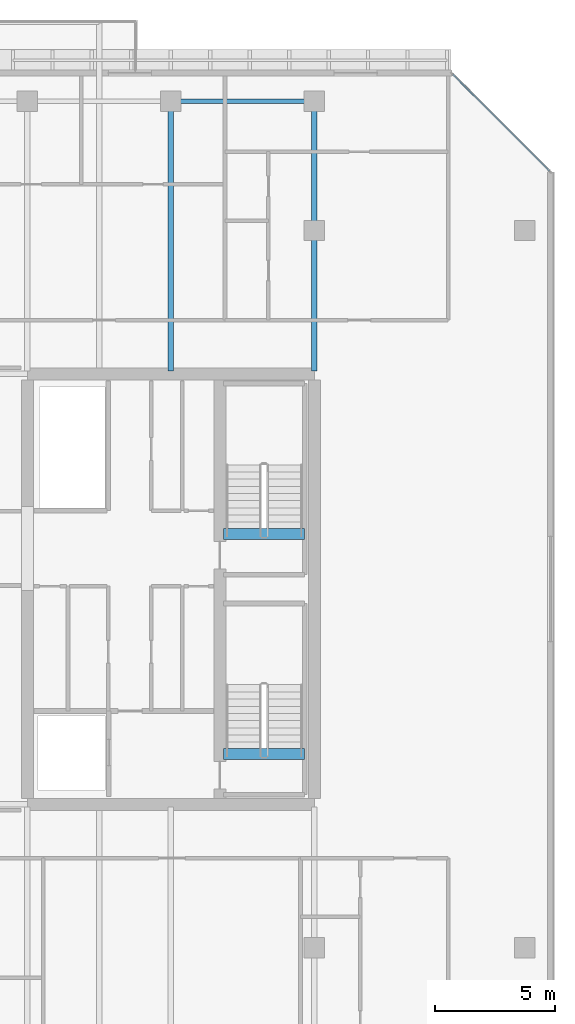
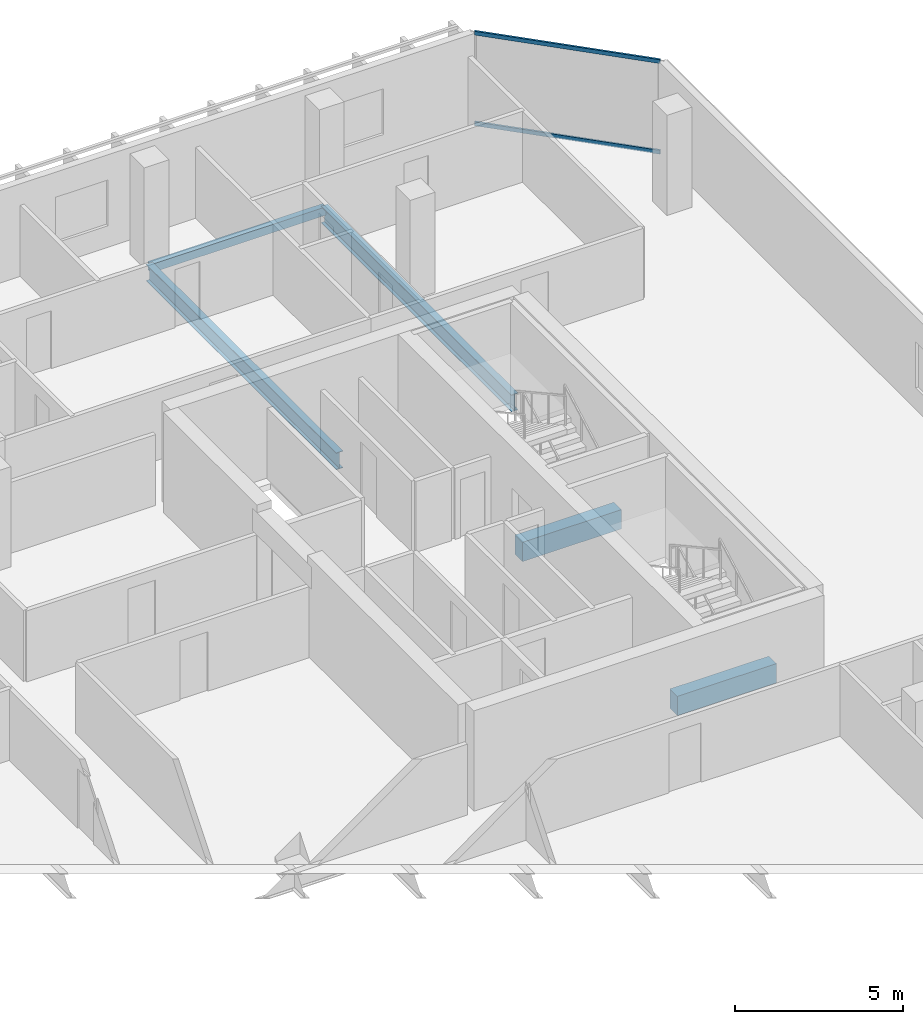
# One storey, part 16 of 31: 5 beams, 2 members, 1 element without a shape of its own.
"""IFC4 building model written with IfcOpenShell, lengths in metres."""

from ifc_helpers import new_model, si_unit, direction, frame, origin, origin_2d, place, context, subcontext, project, spatial, rectangle, hollow_rectangle, i_section, extrude, material, layer, layer_set, material_profile, profile_set, type_object, element, aggregate, save


model = new_model("IFC4")

# Units and contexts
model_context = context("Model", 3, precision=1e-05, world=origin(), true_north=direction((0.0, 1.0)))
body_context = subcontext(model_context, "Body", "Model", "MODEL_VIEW")
ifc_project = project(units=[si_unit("LENGTHUNIT", "METRE"), si_unit("AREAUNIT", "SQUARE_METRE"), si_unit("VOLUMEUNIT", "CUBIC_METRE"), si_unit("PLANEANGLEUNIT", "RADIAN"), si_unit("MASSUNIT", "GRAM", prefix="KILO")], contexts=[model_context])

# Site, building, storey
site_placement = place(None, origin())
site = spatial("IfcSite", under=ifc_project, at=site_placement, CompositionType="ELEMENT")
building_placement = place(site_placement, origin())
building = spatial("IfcBuilding", under=site, at=building_placement, Name="Tanjung Sevakor Pilgrim Tower", CompositionType="ELEMENT")
storey_placement = place(building_placement, frame((0.0, 0.0, 169.2900390625)))
storey = spatial("IfcBuildingStorey", under=building, at=storey_placement, Name="L47", CompositionType="ELEMENT", Elevation=169.2900390625)

# Beams
ifc_material_1 = material(Name="Steel S355J2", Category="steel")
ifc_material_profile_1 = material_profile(ifc_material_1, i_section(OverallWidth=0.22900390625, OverallDepth=0.6123046875, WebThickness=0.011962890625, FlangeThickness=0.01953125, FilletRadius=0.0126953125, at=origin_2d()))
ifc_profile_set_1 = profile_set([ifc_material_profile_1], Name="Steel S355J2")
beam_type_1 = type_object("IfcBeamType", Name="BM-B-G4-UB_610x229x125", PredefinedType="BEAM", material=ifc_profile_set_1)
for number, where, z_axis, x_axis, name in (
    (1, (84.0, 42.715087890625, -0.526123046875), (0.0, 1.0, 0.0), (-1.0, 0.0, 0.0), "L47 MAIN Girder 024"),
    (2, (90.0, 42.715087890625, -0.526123046875), (0.0, 1.0, 0.0), (-1.0, 0.0, 0.0), "L47 MAIN Girder 026"),
):
    element("IfcBeam", number, at=place(storey_placement, frame(where, z_axis=z_axis, x_axis=x_axis)), inside=storey, type_object=beam_type_1, Name=name, PredefinedType="BEAM", context=body_context, shape_type="SweptSolid", body=[
        extrude(i_section(OverallWidth=0.22900390625, OverallDepth=0.6123046875, WebThickness=0.011962890625, FlangeThickness=0.01953125, FilletRadius=0.0126953125, at=origin_2d()), origin(), (0.0, 0.0, 1.0), 11.284912109375),
    ])
ifc_material_2 = material(Name="Concrete C60/75", Category="concrete")
ifc_material_profile_2 = material_profile(ifc_material_2, rectangle(XDim=0.449951171875, YDim=0.699951171875, at=origin_2d()))
ifc_profile_set_2 = profile_set([ifc_material_profile_2], Name="Concrete C60/75")
beam_type_2 = type_object("IfcBeamType", Name="BM-B-LN3-RC-BM_450x700", PredefinedType="LINTEL", material=ifc_profile_set_2)
for number, where, z_axis, x_axis, name in (
    (3, (86.199951171875, 26.699951171875, -0.35009765625), (1.0, 0.0, 0.0), (0.0, 1.0, 0.0), "L47 TS-E1 Stair Threshold Beam"),
    (4, (86.199951171875, 35.89990234375, -0.35009765625), (1.0, 0.0, 0.0), (0.0, 1.0, 0.0), "L47 TS-E2 Stair Threshold Beam"),
):
    element("IfcBeam", number, at=place(storey_placement, frame(where, z_axis=z_axis, x_axis=x_axis)), inside=storey, type_object=beam_type_2, Name=name, PredefinedType="LINTEL", context=body_context, shape_type="SweptSolid", body=[
        extrude(rectangle(XDim=0.449951171875, YDim=0.699951171875, at=origin_2d()), origin(), (0.0, 0.0, 1.0), 3.400146484375),
    ])
ifc_material_3 = material(Name="Steel S355J2", Category="steel")
ifc_material_profile_3 = material_profile(ifc_material_3, hollow_rectangle(XDim=0.199951171875, YDim=0.300048828125, WallThickness=0.012451171875, at=origin_2d()))
ifc_profile_set_3 = profile_set([ifc_material_profile_3], Name="Steel S355J2")
beam_type_3 = type_object("IfcBeamType", Name="BM-B-SP3-RHS_300x200x12.5", PredefinedType="SPANDREL", material=ifc_profile_set_3)
beam_placement = place(storey_placement, frame((84.0, 54.0, -0.3701171875), z_axis=(1.0, 0.0, 0.0), x_axis=(0.0, 1.0, 0.0)))
element("IfcBeam", 5, at=beam_placement, inside=storey, type_object=beam_type_3, Name="L47 Spandrel MAIN N-18", PredefinedType="SPANDREL", context=body_context, shape_type="SweptSolid", body=[
    extrude(hollow_rectangle(XDim=0.199951171875, YDim=0.300048828125, WallThickness=0.012451171875, at=origin_2d()), origin(), (0.0, 0.0, 1.0), 6.0),
])

# Curtain wall, members
ifc_material_4 = material(Name="Aluminium 6063-T6 and Low-E Glass", Category="aluminium")
ifc_layer = layer(ifc_material_4, 0.179931640625)
ifc_layer_set = layer_set([ifc_layer], Name="CW-SYS-CHAM")
curtain_wall_type = type_object("IfcCurtainWallType", Name="CW-SYS-CHAM", PredefinedType="NOTDEFINED", material=ifc_layer_set)
curtain_wall_placement = place(storey_placement, origin())
curtain_wall = element("IfcCurtainWall", 6, at=curtain_wall_placement, inside=storey, type_object=curtain_wall_type, Name="L47 Curtain Wall CW-CHM-L47-MAIN-7", PredefinedType="NOTDEFINED")
ifc_material_5 = material(Name="Aluminium 6063-T6", Category="aluminium")
ifc_material_profile_4 = material_profile(ifc_material_5, hollow_rectangle(XDim=0.06494140625, YDim=0.139892578125, WallThickness=0.00390625, at=origin_2d()))
ifc_profile_set_4 = profile_set([ifc_material_profile_4], Name="Aluminium 6063-T6")
member_type = type_object("IfcMemberType", Name="TYPE-CWT-1", PredefinedType="USERDEFINED", material=ifc_profile_set_4)
member_1_placement = place(storey_placement, frame((99.8291015625, 51.09423828125, 0.032470703125), z_axis=(-0.707106781187, 0.707106781187, 0.0), x_axis=(-0.707106781187, -0.707106781187, 0.0)))
member_1 = element("IfcMember", 7, at=member_1_placement, type_object=member_type, Name="CW-CHM transom 1.1", ObjectType="TRANSOM", PredefinedType="USERDEFINED", context=body_context, shape_type="SweptSolid", body=[
    extrude(hollow_rectangle(XDim=0.06494140625, YDim=0.139892578125, WallThickness=0.00390625, at=origin_2d()), origin(), (0.0, 0.0, 1.0), 5.706298828125),
])
member_2_placement = place(storey_placement, frame((99.8291015625, 51.09423828125, 3.3173828125), z_axis=(-0.707106781187, 0.707106781187, 0.0), x_axis=(-0.707106781187, -0.707106781187, 0.0)))
member_2 = element("IfcMember", 8, at=member_2_placement, type_object=member_type, Name="CW-CHM transom 1.2", ObjectType="TRANSOM", PredefinedType="USERDEFINED", context=body_context, shape_type="SweptSolid", body=[
    extrude(hollow_rectangle(XDim=0.06494140625, YDim=0.139892578125, WallThickness=0.00390625, at=origin_2d()), origin(), (0.0, 0.0, 1.0), 5.706298828125),
])
aggregate(curtain_wall, [member_1, member_2])

save(model, "model.ifc")
